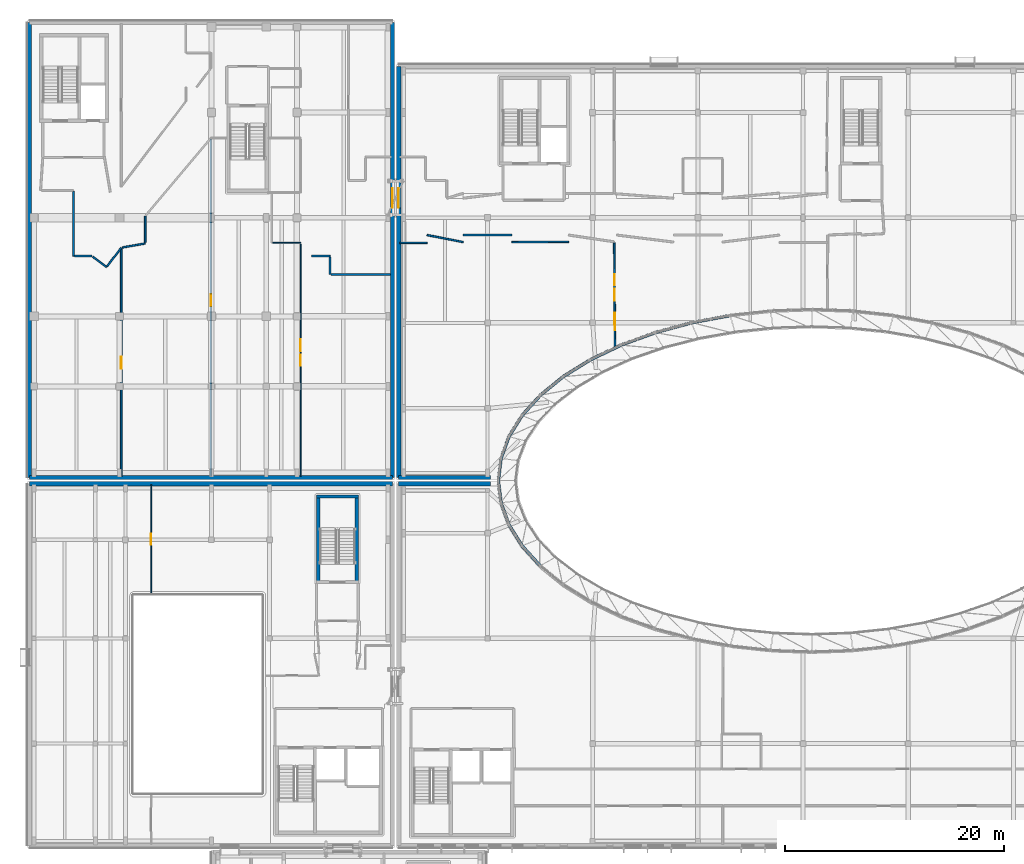
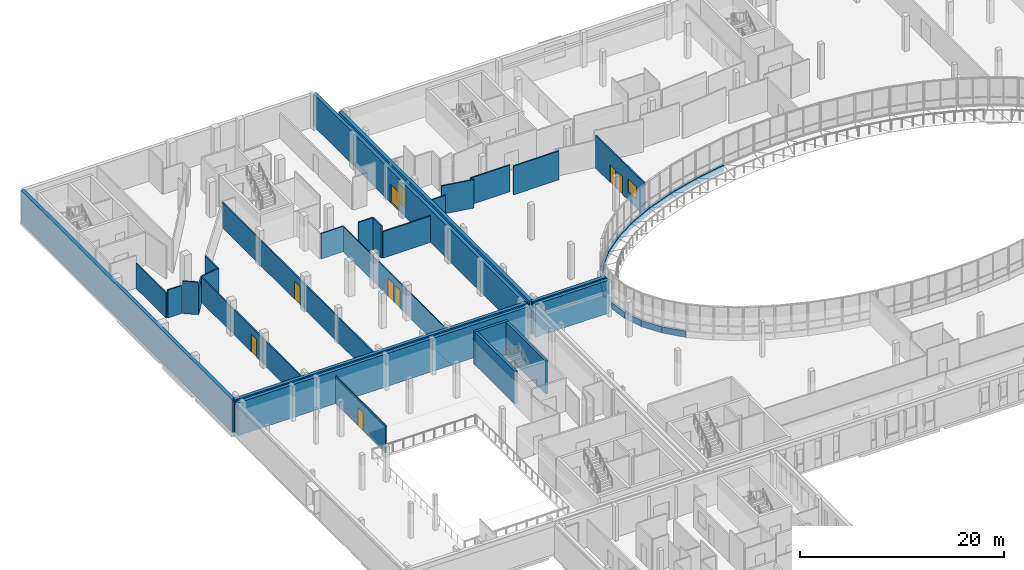
# One storey, part 50 of 84: 43 walls, 9 doors, 1 window, 10 openings.
"""IFC4 building model written with IfcOpenShell, lengths in metres."""

from ifc_helpers import new_model, si_unit, direction, frame, frame_2d, origin, place, context, subcontext, project, spatial, rectangle, extrude, material, layer, layer_set, type_object, element, fill, save


model = new_model("IFC4")

# Units and contexts
model_context = context("Model", 3, precision=1e-05, world=origin(), true_north=direction((0.0, 1.0)))
body_context = subcontext(model_context, "Body", "Model", "MODEL_VIEW")
ifc_project = project(units=[si_unit("LENGTHUNIT", "METRE"), si_unit("AREAUNIT", "SQUARE_METRE"), si_unit("VOLUMEUNIT", "CUBIC_METRE"), si_unit("PLANEANGLEUNIT", "RADIAN"), si_unit("MASSUNIT", "GRAM", prefix="KILO")], contexts=[model_context])

# Site, building, storey
site_placement = place(None, origin())
site = spatial("IfcSite", under=ifc_project, at=site_placement, CompositionType="ELEMENT")
building_placement = place(site_placement, origin())
building = spatial("IfcBuilding", under=site, at=building_placement, Name="Mzevani Central Library", CompositionType="ELEMENT")
storey_placement = place(building_placement, frame((0.0, 0.0, 5.39990234375)))
storey = spatial("IfcBuildingStorey", under=building, at=storey_placement, Name="L01", CompositionType="ELEMENT", Elevation=5.39990234375)

# Walls
ifc_material_1 = material(Name="Concrete C40/50", Category="concrete")
ifc_layer_1 = layer(ifc_material_1, 0.300048828125, Name="Core Shear Wall 300")
ifc_layer_set_1 = layer_set([ifc_layer_1], Name="Concrete C40/50")
wall_type_1 = type_object("IfcWallType", Name="Core Shear Wall 300", PredefinedType="SHEAR", material=ifc_layer_set_1)
wall_1_placement = place(storey_placement, frame((38.949951171875, 66.60009765625, 0.0), z_axis=(0.0, 0.0, 1.0), x_axis=(0.0, 1.0, 0.0)))
element("IfcWall", 1, at=wall_1_placement, inside=storey, type_object=wall_type_1, Name="L01 Core C5B Lecture North Escape Stair Shear Wall (-x)", PredefinedType="SHEAR", context=body_context, shape_type="SweptSolid", body=[
    extrude(rectangle(XDim=8.099853515625, YDim=0.300048828125, at=frame_2d((4.0498046875, 0.0))), origin(), (0.0, 0.0, 1.0), 3.940185546875),
])
wall_2_placement = place(storey_placement, frame((38.800048828125, 74.550048828125, 0.0), z_axis=(0.0, 0.0, 1.0), x_axis=(1.0, 0.0, 0.0)))
element("IfcWall", 2, at=wall_2_placement, inside=storey, type_object=wall_type_1, Name="L01 Core C5B Lecture North Escape Stair Shear Wall (+y)", PredefinedType="SHEAR", context=body_context, shape_type="SweptSolid", body=[
    extrude(rectangle(XDim=3.800048828125, YDim=0.300048828125, at=frame_2d((1.89990234375, 0.0))), origin(), (0.0, 0.0, 1.0), 3.940185546875),
])
wall_3_placement = place(storey_placement, frame((42.449951171875, 74.699951171875, 0.0), z_axis=(0.0, 0.0, 1.0), x_axis=(0.0, -1.0, 0.0)))
element("IfcWall", 3, at=wall_3_placement, inside=storey, type_object=wall_type_1, Name="L01 Core C5B Lecture North Escape Stair Shear Wall (+x)", PredefinedType="SHEAR", context=body_context, shape_type="SweptSolid", body=[
    extrude(rectangle(XDim=8.099853515625, YDim=0.300048828125, at=frame_2d((4.0498046875, 0.0))), origin(), (0.0, 0.0, 1.0), 3.940185546875),
])
ifc_material_2 = material(Name="Precast concrete C40/50", Category="concrete")
ifc_layer_2 = layer(ifc_material_2, 0.280029296875, Name="Court Spandrel Wall 280")
ifc_layer_set_2 = layer_set([ifc_layer_2], Name="Precast concrete C40/50")
wall_type_2 = type_object("IfcWallType", Name="Court Spandrel Wall 280", PredefinedType="STANDARD", material=ifc_layer_set_2)
wall_4_placement = place(storey_placement, frame((76.532958984375, 91.07373046875, 0.0), z_axis=(0.0, 0.0, 1.0), x_axis=(-0.983444547385, -0.181209332591, 0.0)))
element("IfcWall", 4, at=wall_4_placement, inside=storey, type_object=wall_type_2, Name="L01 Elliptical Court Spandrel 15", PredefinedType="STANDARD", context=body_context, shape_type="SweptSolid", body=[
    extrude(rectangle(XDim=3.5771484375, YDim=0.280029296875, at=frame_2d((1.78857421875, 0.0))), origin(), (0.0, 0.0, 1.0), 0.72021484375),
])
wall_5_placement = place(storey_placement, frame((72.98388671875, 90.40185546875, 0.0), z_axis=(0.0, 0.0, 1.0), x_axis=(-0.966008995784, -0.258508452598, 0.0)))
element("IfcWall", 5, at=wall_5_placement, inside=storey, type_object=wall_type_2, Name="L01 Elliptical Court Spandrel 16", PredefinedType="STANDARD", context=body_context, shape_type="SweptSolid", body=[
    extrude(rectangle(XDim=3.448974609375, YDim=0.280029296875, at=frame_2d((1.724609375, 0.0))), origin(), (0.0, 0.0, 1.0), 0.72021484375),
])
wall_6_placement = place(storey_placement, frame((69.629150390625, 89.486083984375, 0.0), z_axis=(0.0, 0.0, 1.0), x_axis=(-0.940120589317, -0.340842012583, 0.0)))
element("IfcWall", 6, at=wall_6_placement, inside=storey, type_object=wall_type_2, Name="L01 Elliptical Court Spandrel 17", PredefinedType="STANDARD", context=body_context, shape_type="SweptSolid", body=[
    extrude(rectangle(XDim=3.28564453125, YDim=0.280029296875, at=frame_2d((1.642822265625, 0.0))), origin(), (0.0, 0.0, 1.0), 0.72021484375),
])
wall_7_placement = place(storey_placement, frame((66.524169921875, 88.34326171875, 0.0), z_axis=(0.0, 0.0, 1.0), x_axis=(-0.902940744527, -0.429765065905, 0.0)))
element("IfcWall", 7, at=wall_7_placement, inside=storey, type_object=wall_type_2, Name="L01 Elliptical Court Spandrel 18", PredefinedType="STANDARD", context=body_context, shape_type="SweptSolid", body=[
    extrude(rectangle(XDim=3.09326171875, YDim=0.280029296875, at=frame_2d((1.546630859375, 0.0))), origin(), (0.0, 0.0, 1.0), 0.72021484375),
])
wall_8_placement = place(storey_placement, frame((63.719482421875, 86.99267578125, 0.0), z_axis=(0.0, 0.0, 1.0), x_axis=(-0.850375313237, -0.526176611639, 0.0)))
element("IfcWall", 8, at=wall_8_placement, inside=storey, type_object=wall_type_2, Name="L01 Elliptical Court Spandrel 19", PredefinedType="STANDARD", context=body_context, shape_type="SweptSolid", body=[
    extrude(rectangle(XDim=2.88037109375, YDim=0.280029296875, at=frame_2d((1.440185546875, 0.0))), origin(), (0.0, 0.0, 1.0), 0.72021484375),
])
wall_9_placement = place(storey_placement, frame((61.261962890625, 85.45751953125, 0.0), z_axis=(0.0, 0.0, 1.0), x_axis=(-0.776243179452, -0.63043360186, 0.0)))
element("IfcWall", 9, at=wall_9_placement, inside=storey, type_object=wall_type_2, Name="L01 Elliptical Court Spandrel 20", PredefinedType="STANDARD", context=body_context, shape_type="SweptSolid", body=[
    extrude(rectangle(XDim=2.658935546875, YDim=0.280029296875, at=frame_2d((1.32958984375, 0.0))), origin(), (0.0, 0.0, 1.0), 0.72021484375),
])
wall_10_placement = place(storey_placement, frame((59.1923828125, 83.762939453125, 0.0), z_axis=(0.0, 0.0, 1.0), x_axis=(-0.67252356476, -0.740075708858, 0.0)))
element("IfcWall", 10, at=wall_10_placement, inside=storey, type_object=wall_type_2, Name="L01 Elliptical Court Spandrel 21", PredefinedType="STANDARD", context=body_context, shape_type="SweptSolid", body=[
    extrude(rectangle(XDim=2.443115234375, YDim=0.280029296875, at=frame_2d((1.2216796875, 0.0))), origin(), (0.0, 0.0, 1.0), 0.72021484375),
])
wall_11_placement = place(storey_placement, frame((57.54541015625, 81.93798828125, 0.0), z_axis=(0.0, 0.0, 1.0), x_axis=(-0.530271784497, -0.847827715144, 0.0)))
element("IfcWall", 11, at=wall_11_placement, inside=storey, type_object=wall_type_2, Name="L01 Elliptical Court Spandrel 22", PredefinedType="STANDARD", context=body_context, shape_type="SweptSolid", body=[
    extrude(rectangle(XDim=2.251953125, YDim=0.280029296875, at=frame_2d((1.1259765625, 0.0))), origin(), (0.0, 0.0, 1.0), 0.72021484375),
])
wall_12_placement = place(storey_placement, frame((56.34912109375, 80.0126953125, 0.0), z_axis=(0.0, 0.0, 1.0), x_axis=(-0.344189928554, -0.938900044244, 0.0)))
element("IfcWall", 12, at=wall_12_placement, inside=storey, type_object=wall_type_2, Name="L01 Elliptical Court Spandrel 23", PredefinedType="STANDARD", context=body_context, shape_type="SweptSolid", body=[
    extrude(rectangle(XDim=2.10595703125, YDim=0.280029296875, at=frame_2d((1.052978515625, 0.0))), origin(), (0.0, 0.0, 1.0), 0.72021484375),
])
for number, where, z_axis, x_axis, name in (
    (13, (55.623046875, 78.01953125, 0.0), (0.0, 0.0, 1.0), (-0.119881584564, -0.992788197796, 0.0), "L01 Elliptical Court Spandrel 24"),
    (14, (55.380126953125, 75.9921875, 0.0), (0.0, 0.0, 1.0), (0.119881584564, -0.992788197796, 0.0), "L01 Elliptical Court Spandrel 25"),
):
    element("IfcWall", number, at=place(storey_placement, frame(where, z_axis=z_axis, x_axis=x_axis)), inside=storey, type_object=wall_type_2, Name=name, PredefinedType="STANDARD", context=body_context, shape_type="SweptSolid", body=[
        extrude(rectangle(XDim=2.0263671875, YDim=0.280029296875, at=frame_2d((1.01318359375, 0.0))), origin(), (0.0, 0.0, 1.0), 0.72021484375),
    ])
wall_13_placement = place(storey_placement, frame((55.624267578125, 73.964599609375, 0.0), z_axis=(0.0, 0.0, 1.0), x_axis=(0.344189928554, -0.938900044244, 0.0)))
element("IfcWall", 15, at=wall_13_placement, inside=storey, type_object=wall_type_2, Name="L01 Elliptical Court Spandrel 26", PredefinedType="STANDARD", context=body_context, shape_type="SweptSolid", body=[
    extrude(rectangle(XDim=2.10595703125, YDim=0.280029296875, at=frame_2d((1.052978515625, 0.0))), origin(), (0.0, 0.0, 1.0), 0.72021484375),
])
wall_14_placement = place(storey_placement, frame((56.351318359375, 71.97119140625, 0.0), z_axis=(0.0, 0.0, 1.0), x_axis=(0.530271784497, -0.847827715144, 0.0)))
element("IfcWall", 16, at=wall_14_placement, inside=storey, type_object=wall_type_2, Name="L01 Elliptical Court Spandrel 27", PredefinedType="STANDARD", context=body_context, shape_type="SweptSolid", body=[
    extrude(rectangle(XDim=2.251953125, YDim=0.280029296875, at=frame_2d((1.1259765625, 0.0))), origin(), (0.0, 0.0, 1.0), 0.72021484375),
])
wall_15_placement = place(storey_placement, frame((57.54931640625, 70.045166015625, 0.0), z_axis=(0.0, 0.0, 1.0), x_axis=(0.67252356476, -0.740075708858, 0.0)))
element("IfcWall", 17, at=wall_15_placement, inside=storey, type_object=wall_type_2, Name="L01 Elliptical Court Spandrel 28", PredefinedType="STANDARD", context=body_context, shape_type="SweptSolid", body=[
    extrude(rectangle(XDim=2.443115234375, YDim=0.280029296875, at=frame_2d((1.2216796875, 0.0))), origin(), (0.0, 0.0, 1.0), 0.72021484375),
])
ifc_layer_3 = layer(ifc_material_2, 0.3798828125, Name="Exterior Thermal Concrete Wall 380")
ifc_layer_set_3 = layer_set([ifc_layer_3], Name="Precast concrete C40/50")
wall_type_3 = type_object("IfcWallType", Name="Exterior Thermal Concrete Wall 380", PredefinedType="STANDARD", material=ifc_layer_set_3)
wall_16_placement = place(storey_placement, frame((46.2900390625, 75.7099609375, 0.0), z_axis=(0.0, 0.0, 1.0), x_axis=(1.0, 0.0, 0.0)))
element("IfcWall", 18, at=wall_16_placement, inside=storey, type_object=wall_type_3, Name="L01 V1 Exterior Thermal Wall (8)", PredefinedType="STANDARD", context=body_context, shape_type="SweptSolid", body=[
    extrude(rectangle(XDim=8.387939453125, YDim=0.3798828125, at=frame_2d((4.19384765625, 0.0))), origin(), (0.0, 0.0, 1.0), 3.940185546875),
])
wall_17_placement = place(storey_placement, frame((45.7099609375, 76.2900390625, 0.0), z_axis=(0.0, 0.0, 1.0), x_axis=(-1.0, 0.0, 0.0)))
element("IfcWall", 19, at=wall_17_placement, inside=storey, type_object=wall_type_3, Name="L01 V2 Exterior Thermal Wall (20)", PredefinedType="STANDARD", context=body_context, shape_type="SweptSolid", body=[
    extrude(rectangle(XDim=33.119873046875, YDim=0.3798828125, at=frame_2d((16.56005859375, 0.0))), origin(), (0.0, 0.0, 1.0), 3.940185546875),
])
wall_18_placement = place(storey_placement, frame((12.590087890625, 76.2900390625, 0.0), z_axis=(0.0, 0.0, 1.0), x_axis=(0.0, 1.0, 0.0)))
element("IfcWall", 20, at=wall_18_placement, inside=storey, type_object=wall_type_3, Name="L01 V2 Exterior Thermal Wall (21)", PredefinedType="STANDARD", context=body_context, shape_type="SweptSolid", body=[
    extrude(rectangle(XDim=41.52001953125, YDim=0.3798828125, at=frame_2d((20.760009765625, 0.0))), origin(), (0.0, 0.0, 1.0), 3.880126953125),
])

# Wall, opening, door
wall_19_placement = place(storey_placement, frame((45.7099609375, 117.81005859375, 0.0), z_axis=(0.0, 0.0, 1.0), x_axis=(0.0, -1.0, 0.0)))
wall_19 = element("IfcWall", 21, at=wall_19_placement, inside=storey, type_object=wall_type_3, Name="L01 V2 Exterior Thermal Wall (23)", PredefinedType="STANDARD", context=body_context, shape_type="SweptSolid", body=[
    extrude(rectangle(XDim=41.52001953125, YDim=0.3798828125, at=frame_2d((20.760009765625, 0.0))), origin(), (0.0, 0.0, 1.0), 3.880126953125),
])
opening_1_placement = place(wall_19_placement, frame((15.110107421875, 0.0, 0.0)))
opening_1 = element("IfcOpeningElement", 22, at=opening_1_placement, cuts=wall_19, Name="Opening FD-06", PredefinedType="OPENING", context=body_context, shape_type="SweptSolid", body=[
    extrude(rectangle(XDim=1.800048828125, YDim=2.199951171875, at=frame_2d((0.89990234375, 1.10009765625))), frame((0.0, 0.199951171875, 0.0), z_axis=(0.0, -1.0, 0.0), x_axis=(1.0, 0.0, 0.0)), (0.0, 0.0, 1.0), 0.39990234375),
])
ifc_material_3 = material(Name="Fire-rated steel door assembly", Category="steel")
door_type_1 = type_object("IfcDoorType", Name="Fire Corridor Double Door 1800x2200", OperationType="NOTDEFINED", PredefinedType="DOOR", material=ifc_material_3)
door_1_placement = place(opening_1_placement, origin())
door_1 = element("IfcDoor", 23, at=door_1_placement, inside=storey, type_object=door_type_1, Name="L01 Stacks-Court Seismic Passage L01 Fire Portal Door (V2)", OperationType="DOUBLE_DOOR_SINGLE_SWING", OverallHeight=2.199951171875, OverallWidth=1.800048828125, PredefinedType="DOOR", context=body_context, shape_type="SweptSolid", body=[
    extrude(rectangle(XDim=1.800048828125, YDim=2.199951171875, at=frame_2d((0.89990234375, 1.10009765625))), frame((0.0, 0.02490234375, 0.0), z_axis=(0.0, -1.0, 0.0), x_axis=(1.0, 0.0, 0.0)), (0.0, 0.0, 1.0), 0.050048828125),
])
fill(opening_1, door_1)

# Wall
wall_20_placement = place(storey_placement, frame((54.677978515625, 76.2900390625, 0.0), z_axis=(0.0, 0.0, 1.0), x_axis=(-1.0, 0.0, 0.0)))
element("IfcWall", 24, at=wall_20_placement, inside=storey, type_object=wall_type_3, Name="L01 V3 Exterior Thermal Wall (52)", PredefinedType="STANDARD", context=body_context, shape_type="SweptSolid", body=[
    extrude(rectangle(XDim=8.387939453125, YDim=0.3798828125, at=frame_2d((4.19384765625, 0.0))), origin(), (0.0, 0.0, 1.0), 3.920166015625),
])

# Wall, opening, door
wall_21_placement = place(storey_placement, frame((46.2900390625, 76.2900390625, 0.0), z_axis=(0.0, 0.0, 1.0), x_axis=(0.0, 1.0, 0.0)))
wall_21 = element("IfcWall", 25, at=wall_21_placement, inside=storey, type_object=wall_type_3, Name="L01 V3 Exterior Thermal Wall (53)", PredefinedType="STANDARD", context=body_context, shape_type="SweptSolid", body=[
    extrude(rectangle(XDim=37.52001953125, YDim=0.3798828125, at=frame_2d((18.760009765625, 0.0))), origin(), (0.0, 0.0, 1.0), 3.920166015625),
])
opening_2_placement = place(wall_21_placement, frame((24.610107421875, 0.0, 0.0)))
opening_2 = element("IfcOpeningElement", 26, at=opening_2_placement, cuts=wall_21, Name="Opening FD-06", PredefinedType="OPENING", context=body_context, shape_type="SweptSolid", body=[
    extrude(rectangle(XDim=1.800048828125, YDim=2.199951171875, at=frame_2d((0.89990234375, 1.10009765625))), frame((0.0, 0.199951171875, 0.0), z_axis=(0.0, -1.0, 0.0), x_axis=(1.0, 0.0, 0.0)), (0.0, 0.0, 1.0), 0.39990234375),
])
door_2_placement = place(opening_2_placement, origin())
door_2 = element("IfcDoor", 27, at=door_2_placement, inside=storey, type_object=door_type_1, Name="L01 Stacks-Court Seismic Passage L01 Fire Portal Door (V3)", OperationType="DOUBLE_DOOR_SINGLE_SWING", OverallHeight=2.199951171875, OverallWidth=1.800048828125, PredefinedType="DOOR", context=body_context, shape_type="SweptSolid", body=[
    extrude(rectangle(XDim=1.800048828125, YDim=2.199951171875, at=frame_2d((0.89990234375, 1.10009765625))), frame((0.0, 0.02490234375, 0.0), z_axis=(0.0, -1.0, 0.0), x_axis=(1.0, 0.0, 0.0)), (0.0, 0.0, 1.0), 0.050048828125),
])
fill(opening_2, door_2)

# Walls
wall_22_placement = place(storey_placement, frame((12.590087890625, 75.7099609375, 0.0), z_axis=(0.0, 0.0, 1.0), x_axis=(1.0, 0.0, 0.0)))
element("IfcWall", 28, at=wall_22_placement, inside=storey, type_object=wall_type_3, Name="L01 V5 Exterior Thermal Wall (93)", PredefinedType="STANDARD", context=body_context, shape_type="SweptSolid", body=[
    extrude(rectangle(XDim=33.119873046875, YDim=0.3798828125, at=frame_2d((16.56005859375, 0.0))), origin(), (0.0, 0.0, 1.0), 3.940185546875),
])
ifc_material_4 = material(Name="Fire-rated gypsum board", Category="gypsum")
ifc_layer_4 = layer(ifc_material_4, 0.10009765625, Name="Partition Gypsum 100")
ifc_layer_set_4 = layer_set([ifc_layer_4], Name="Fire-rated gypsum board")
wall_type_4 = type_object("IfcWallType", Name="Partition Gypsum 100", PredefinedType="PARTITIONING", material=ifc_layer_set_4)
wall_23_placement = place(storey_placement, frame((34.800048828125, 97.699951171875, 0.0), z_axis=(0.0, 0.0, 1.0), x_axis=(1.0, 0.0, 0.0)))
element("IfcWall", 29, at=wall_23_placement, inside=storey, type_object=wall_type_4, Name="L01 V2 Partition IW-01 (247)", PredefinedType="PARTITIONING", context=body_context, shape_type="SweptSolid", body=[
    extrude(rectangle(XDim=2.534912109375, YDim=0.10009765625, at=frame_2d((1.267578125, 0.0))), origin(), (0.0, 0.0, 1.0), 3.06005859375),
])

# Wall, openings, doors
wall_24_placement = place(storey_placement, frame((37.3349609375, 97.60009765625, 0.0), z_axis=(0.0, 0.0, 1.0), x_axis=(0.0, -1.0, 0.0)))
wall_24 = element("IfcWall", 30, at=wall_24_placement, inside=storey, type_object=wall_type_4, Name="L01 V2 Partition IW-01 (248)", PredefinedType="PARTITIONING", context=body_context, shape_type="SweptSolid", body=[
    extrude(rectangle(XDim=21.210205078125, YDim=0.10009765625, at=frame_2d((10.60498046875, 0.0))), origin(), (0.0, 0.0, 1.0), 3.02001953125),
])
opening_3_placement = place(wall_24_placement, frame((10.10498046875, 0.0, 0.0)))
opening_3 = element("IfcOpeningElement", 31, at=opening_3_placement, cuts=wall_24, Name="Opening ID-04", PredefinedType="OPENING", context=body_context, shape_type="SweptSolid", body=[
    extrude(rectangle(XDim=1.0, YDim=2.14990234375, at=frame_2d((0.5, 1.074951171875))), frame((0.0, 0.06005859375, 0.0), z_axis=(0.0, -1.0, 0.0), x_axis=(1.0, 0.0, 0.0)), (0.0, 0.0, 1.0), 0.1201171875),
])
opening_4_placement = place(wall_24_placement, frame((8.705078125, 0.0, 0.0)))
opening_4 = element("IfcOpeningElement", 32, at=opening_4_placement, cuts=wall_24, Name="Opening FD-04", PredefinedType="OPENING", context=body_context, shape_type="SweptSolid", body=[
    extrude(rectangle(XDim=1.10009765625, YDim=2.14990234375, at=frame_2d((0.550048828125, 1.074951171875))), frame((0.0, 0.06005859375, 0.0), z_axis=(0.0, -1.0, 0.0), x_axis=(1.0, 0.0, 0.0)), (0.0, 0.0, 1.0), 0.1201171875),
])
door_type_2 = type_object("IfcDoorType", Name="Fire Compartment Door 1100x2150", OperationType="NOTDEFINED", PredefinedType="DOOR", material=ifc_material_3)
door_3_placement = place(opening_4_placement, origin())
door_3 = element("IfcDoor", 33, at=door_3_placement, inside=storey, type_object=door_type_2, Name="L01 Mobile Compact Shelving Hall L01 West 2 Door", OperationType="SINGLE_SWING_RIGHT", OverallHeight=2.14990234375, OverallWidth=1.10009765625, PredefinedType="DOOR", context=body_context, shape_type="SweptSolid", body=[
    extrude(rectangle(XDim=1.10009765625, YDim=2.14990234375, at=frame_2d((0.550048828125, 1.074951171875))), frame((0.0, 0.02490234375, 0.0), z_axis=(0.0, -1.0, 0.0), x_axis=(1.0, 0.0, 0.0)), (0.0, 0.0, 1.0), 0.050048828125),
])
fill(opening_4, door_3)
ifc_material_5 = material(Name="Fire-rated solid oak leaf")
door_type_3 = type_object("IfcDoorType", Name="Staff Office Door 1000x2150", OperationType="NOTDEFINED", PredefinedType="DOOR", material=ifc_material_5)
door_4_placement = place(opening_3_placement, origin())
door_4 = element("IfcDoor", 34, at=door_4_placement, inside=storey, type_object=door_type_3, Name="L01 Archival Retrieval Desk Door", OperationType="SINGLE_SWING_LEFT", OverallHeight=2.14990234375, OverallWidth=1.0, PredefinedType="DOOR", context=body_context, shape_type="SweptSolid", body=[
    extrude(rectangle(XDim=1.0, YDim=2.14990234375, at=frame_2d((0.5, 1.074951171875))), frame((0.0, 0.02490234375, 0.0), z_axis=(0.0, -1.0, 0.0), x_axis=(1.0, 0.0, 0.0)), (0.0, 0.0, 1.0), 0.050048828125),
])
fill(opening_3, door_4)

# Wall, opening, door
wall_25_placement = place(storey_placement, frame((23.693359375, 75.610107421875, 0.0), z_axis=(0.0, 0.0, 1.0), x_axis=(0.0, -1.0, 0.0)))
wall_25 = element("IfcWall", 35, at=wall_25_placement, inside=storey, type_object=wall_type_4, Name="L01 V5 Partition IW-01 (331)", PredefinedType="PARTITIONING", context=body_context, shape_type="SweptSolid", body=[
    extrude(rectangle(XDim=9.91015625, YDim=0.10009765625, at=frame_2d((4.955078125, 0.0))), origin(), (0.0, 0.0, 1.0), 3.320068359375),
])
opening_5_placement = place(wall_25_placement, frame((4.455078125, 0.0, 0.0)))
opening_5 = element("IfcOpeningElement", 36, at=opening_5_placement, cuts=wall_25, Name="Opening ID-04", PredefinedType="OPENING", context=body_context, shape_type="SweptSolid", body=[
    extrude(rectangle(XDim=1.0, YDim=2.14990234375, at=frame_2d((0.5, 1.074951171875))), frame((0.0, 0.06005859375, 0.0), z_axis=(0.0, -1.0, 0.0), x_axis=(1.0, 0.0, 0.0)), (0.0, 0.0, 1.0), 0.1201171875),
])
door_5_placement = place(opening_5_placement, origin())
door_5 = element("IfcDoor", 37, at=door_5_placement, inside=storey, type_object=door_type_3, Name="L01 Auditorium Upper Projection Balcony Door", OperationType="SINGLE_SWING_LEFT", OverallHeight=2.14990234375, OverallWidth=1.0, PredefinedType="DOOR", context=body_context, shape_type="SweptSolid", body=[
    extrude(rectangle(XDim=1.0, YDim=2.14990234375, at=frame_2d((0.5, 1.074951171875))), frame((0.0, 0.02490234375, 0.0), z_axis=(0.0, -1.0, 0.0), x_axis=(1.0, 0.0, 0.0)), (0.0, 0.0, 1.0), 0.050048828125),
])
fill(opening_5, door_5)

# Walls
ifc_layer_5 = layer(ifc_material_4, 0.14990234375, Name="Partition Study 150")
ifc_layer_set_5 = layer_set([ifc_layer_5], Name="Fire-rated gypsum board")
wall_type_5 = type_object("IfcWallType", Name="Partition Study 150", PredefinedType="PARTITIONING", material=ifc_layer_set_5)
wall_26_placement = place(storey_placement, frame((16.60009765625, 102.39990234375, 0.0), z_axis=(0.0, 0.0, 1.0), x_axis=(0.0, -1.0, 0.0)))
element("IfcWall", 38, at=wall_26_placement, inside=storey, type_object=wall_type_5, Name="L01 V2 Partition IW-03 (225)", PredefinedType="PARTITIONING", context=body_context, shape_type="SweptSolid", body=[
    extrude(rectangle(XDim=5.89990234375, YDim=0.14990234375, at=frame_2d((2.949951171875, 0.0))), origin(), (0.0, 0.0, 1.0), 3.010009765625),
])
wall_27_placement = place(storey_placement, frame((16.699951171875, 96.5, 0.0), z_axis=(0.0, 0.0, 1.0), x_axis=(1.0, 0.0, 0.0)))
element("IfcWall", 39, at=wall_27_placement, inside=storey, type_object=wall_type_5, Name="L01 V2 Partition IW-03 (226)", PredefinedType="PARTITIONING", context=body_context, shape_type="SweptSolid", body=[
    extrude(rectangle(XDim=1.580078125, YDim=0.14990234375, at=frame_2d((0.7900390625, 0.0))), origin(), (0.0, 0.0, 1.0), 3.340087890625),
])
wall_28_placement = place(storey_placement, frame((18.35986328125, 96.439697265625, 0.0), z_axis=(0.0, 0.0, 1.0), x_axis=(0.797526950094, -0.603283319738, 0.0)))
element("IfcWall", 40, at=wall_28_placement, inside=storey, type_object=wall_type_5, Name="L01 V2 Partition IW-03 (227)", PredefinedType="PARTITIONING", context=body_context, shape_type="SweptSolid", body=[
    extrude(rectangle(XDim=1.579833984375, YDim=0.14990234375, at=frame_2d((0.7900390625, 0.0))), origin(), (0.0, 0.0, 1.0), 3.880126953125),
])
wall_29_placement = place(storey_placement, frame((19.68017578125, 95.56640625, 0.0), z_axis=(0.0, 0.0, 1.0), x_axis=(0.603314611832, 0.797503278457, 0.0)))
element("IfcWall", 41, at=wall_29_placement, inside=storey, type_object=wall_type_5, Name="L01 V2 Partition IW-03 (228)", PredefinedType="PARTITIONING", context=body_context, shape_type="SweptSolid", body=[
    extrude(rectangle(XDim=2.129638671875, YDim=0.14990234375, at=frame_2d((1.06494140625, 0.0))), origin(), (0.0, 0.0, 1.0), 3.010009765625),
])

# Wall, opening, door
wall_30_placement = place(storey_placement, frame((20.965087890625, 97.164794921875, 0.0), z_axis=(0.0, 0.0, 1.0), x_axis=(0.0, -1.0, 0.0)))
wall_30 = element("IfcWall", 42, at=wall_30_placement, inside=storey, type_object=wall_type_5, Name="L01 V2 Partition IW-03 (229)", PredefinedType="PARTITIONING", context=body_context, shape_type="SweptSolid", body=[
    extrude(rectangle(XDim=20.77490234375, YDim=0.14990234375, at=frame_2d((10.387451171875, 0.0))), origin(), (0.0, 0.0, 1.0), 3.010009765625),
])
opening_6_placement = place(wall_30_placement, frame((9.83740234375, 0.0, 0.0)))
opening_6 = element("IfcOpeningElement", 43, at=opening_6_placement, cuts=wall_30, Name="Opening FD-04", PredefinedType="OPENING", context=body_context, shape_type="SweptSolid", body=[
    extrude(rectangle(XDim=1.10009765625, YDim=2.14990234375, at=frame_2d((0.550048828125, 1.074951171875))), frame((0.0, 0.0849609375, 0.0), z_axis=(0.0, -1.0, 0.0), x_axis=(1.0, 0.0, 0.0)), (0.0, 0.0, 1.0), 0.169921875),
])
door_6_placement = place(opening_6_placement, origin())
door_6 = element("IfcDoor", 44, at=door_6_placement, inside=storey, type_object=door_type_2, Name="L01 Mobile Compact Shelving Hall L01 West Door", OperationType="SINGLE_SWING_RIGHT", OverallHeight=2.14990234375, OverallWidth=1.10009765625, PredefinedType="DOOR", context=body_context, shape_type="SweptSolid", body=[
    extrude(rectangle(XDim=1.10009765625, YDim=2.14990234375, at=frame_2d((0.550048828125, 1.074951171875))), frame((0.0, 0.02490234375, 0.0), z_axis=(0.0, -1.0, 0.0), x_axis=(1.0, 0.0, 0.0)), (0.0, 0.0, 1.0), 0.050048828125),
])
fill(opening_6, door_6)

# Walls
wall_31_placement = place(storey_placement, frame((21.0634765625, 97.2822265625, 0.0), z_axis=(0.0, 0.0, 1.0), x_axis=(0.984825294545, 0.173548665292, 0.0)))
element("IfcWall", 45, at=wall_31_placement, inside=storey, type_object=wall_type_5, Name="L01 V2 Partition IW-03 (230)", PredefinedType="PARTITIONING", context=body_context, shape_type="SweptSolid", body=[
    extrude(rectangle(XDim=2.11865234375, YDim=0.14990234375, at=frame_2d((1.059326171875, 0.0))), origin(), (0.0, 0.0, 1.0), 3.010009765625),
])
wall_32_placement = place(storey_placement, frame((23.14990234375, 97.75, 0.0), z_axis=(0.0, 0.0, 1.0), x_axis=(0.0, 1.0, 0.0)))
element("IfcWall", 46, at=wall_32_placement, inside=storey, type_object=wall_type_5, Name="L01 V2 Partition IW-03 (231)", PredefinedType="PARTITIONING", context=body_context, shape_type="SweptSolid", body=[
    extrude(rectangle(XDim=2.403564453125, YDim=0.14990234375, at=frame_2d((1.20166015625, 0.0))), origin(), (0.0, 0.0, 1.0), 2.960205078125),
])

# Wall, opening, door
wall_33_placement = place(storey_placement, frame((29.14990234375, 107.175048828125, 0.0), z_axis=(0.0, 0.0, 1.0), x_axis=(0.0, -1.0, 0.0)))
wall_33 = element("IfcWall", 47, at=wall_33_placement, inside=storey, type_object=wall_type_5, Name="L01 V2 Partition IW-03 (233)", PredefinedType="PARTITIONING", context=body_context, shape_type="SweptSolid", body=[
    extrude(rectangle(XDim=30.78515625, YDim=0.14990234375, at=frame_2d((15.392578125, 0.0))), origin(), (0.0, 0.0, 1.0), 3.02001953125),
])
opening_7_placement = place(wall_33_placement, frame((14.142578125, 0.0, 0.0)))
opening_7 = element("IfcOpeningElement", 48, at=opening_7_placement, cuts=wall_33, Name="Opening FD-04", PredefinedType="OPENING", context=body_context, shape_type="SweptSolid", body=[
    extrude(rectangle(XDim=1.10009765625, YDim=2.14990234375, at=frame_2d((0.550048828125, 1.074951171875))), frame((0.0, 0.0849609375, 0.0), z_axis=(0.0, -1.0, 0.0), x_axis=(1.0, 0.0, 0.0)), (0.0, 0.0, 1.0), 0.169921875),
])
door_7_placement = place(opening_7_placement, origin())
door_7 = element("IfcDoor", 49, at=door_7_placement, inside=storey, type_object=door_type_2, Name="L01 Mobile Compact Shelving Hall L01 East Door", OperationType="SINGLE_SWING_LEFT", OverallHeight=2.14990234375, OverallWidth=1.10009765625, PredefinedType="DOOR", context=body_context, shape_type="SweptSolid", body=[
    extrude(rectangle(XDim=1.10009765625, YDim=2.14990234375, at=frame_2d((0.550048828125, 1.074951171875))), frame((0.0, 0.02490234375, 0.0), z_axis=(0.0, -1.0, 0.0), x_axis=(1.0, 0.0, 0.0)), (0.0, 0.0, 1.0), 0.050048828125),
])
fill(opening_7, door_7)

# Walls
wall_34_placement = place(storey_placement, frame((38.340087890625, 96.5, 0.0), z_axis=(0.0, 0.0, 1.0), x_axis=(1.0, 0.0, 0.0)))
element("IfcWall", 50, at=wall_34_placement, inside=storey, type_object=wall_type_5, Name="L01 V2 Partition IW-03 (250)", PredefinedType="PARTITIONING", context=body_context, shape_type="SweptSolid", body=[
    extrude(rectangle(XDim=1.679931640625, YDim=0.14990234375, at=frame_2d((0.83984375, 0.0))), origin(), (0.0, 0.0, 1.0), 3.880126953125),
])
wall_35_placement = place(storey_placement, frame((40.02001953125, 96.39990234375, 0.0), z_axis=(0.0, 0.0, 1.0), x_axis=(0.0, -1.0, 0.0)))
element("IfcWall", 51, at=wall_35_placement, inside=storey, type_object=wall_type_5, Name="L01 V2 Partition IW-03 (251)", PredefinedType="PARTITIONING", context=body_context, shape_type="SweptSolid", body=[
    extrude(rectangle(XDim=1.579833984375, YDim=0.14990234375, at=frame_2d((0.7900390625, 0.0))), origin(), (0.0, 0.0, 1.0), 3.880126953125),
])
wall_36_placement = place(storey_placement, frame((40.1201171875, 94.820068359375, 0.0), z_axis=(0.0, 0.0, 1.0), x_axis=(1.0, 0.0, 0.0)))
element("IfcWall", 52, at=wall_36_placement, inside=storey, type_object=wall_type_5, Name="L01 V2 Partition IW-03 (252)", PredefinedType="PARTITIONING", context=body_context, shape_type="SweptSolid", body=[
    extrude(rectangle(XDim=5.39990234375, YDim=0.14990234375, at=frame_2d((2.699951171875, 0.0))), origin(), (0.0, 0.0, 1.0), 3.16015625),
])
wall_37_placement = place(storey_placement, frame((46.389892578125, 97.699951171875, 0.0), z_axis=(0.0, 0.0, 1.0), x_axis=(1.0, 0.0, 0.0)))
element("IfcWall", 53, at=wall_37_placement, inside=storey, type_object=wall_type_5, Name="L01 V3 Partition IW-03 (261)", PredefinedType="PARTITIONING", context=body_context, shape_type="SweptSolid", body=[
    extrude(rectangle(XDim=2.485107421875, YDim=0.14990234375, at=frame_2d((1.24267578125, 0.0))), origin(), (0.0, 0.0, 1.0), 2.715087890625),
])
wall_38_placement = place(storey_placement, frame((48.875, 98.419921875, 0.0), z_axis=(0.0, 0.0, 1.0), x_axis=(0.981428627156, -0.191827656503, 0.0)))
element("IfcWall", 54, at=wall_38_placement, inside=storey, type_object=wall_type_5, Name="L01 V3 Partition IW-03 (262)", PredefinedType="PARTITIONING", context=body_context, shape_type="SweptSolid", body=[
    extrude(rectangle(XDim=3.362548828125, YDim=0.14990234375, at=frame_2d((1.68115234375, 0.0))), origin(), (0.0, 0.0, 1.0), 3.400146484375),
])
wall_39_placement = place(storey_placement, frame((52.175048828125, 98.419921875, 0.0), z_axis=(0.0, 0.0, 1.0), x_axis=(1.0, 0.0, 0.0)))
element("IfcWall", 55, at=wall_39_placement, inside=storey, type_object=wall_type_5, Name="L01 V3 Partition IW-03 (263)", PredefinedType="PARTITIONING", context=body_context, shape_type="SweptSolid", body=[
    extrude(rectangle(XDim=4.449951171875, YDim=0.14990234375, at=frame_2d((2.22509765625, 0.0))), origin(), (0.0, 0.0, 1.0), 3.2001953125),
])
wall_40_placement = place(storey_placement, frame((56.625, 97.77490234375, 0.0), z_axis=(0.0, 0.0, 1.0), x_axis=(0.999988194403, 0.00485912082, 0.0)))
element("IfcWall", 56, at=wall_40_placement, inside=storey, type_object=wall_type_5, Name="L01 V3 Partition IW-03 (264)", PredefinedType="PARTITIONING", context=body_context, shape_type="SweptSolid", body=[
    extrude(rectangle(XDim=5.175048828125, YDim=0.14990234375, at=frame_2d((2.58740234375, 0.0))), origin(), (0.0, 0.0, 1.0), 3.4501953125),
])

# Wall, openings, doors, window
wall_41_placement = place(storey_placement, frame((65.9658203125, 97.699951171875, 0.0), z_axis=(0.0, 0.0, 1.0), x_axis=(0.007103377727, -0.999974770694, 0.0)))
wall_41 = element("IfcWall", 57, at=wall_41_placement, inside=storey, type_object=wall_type_5, Name="L01 V3 Partition IW-03 (266)", PredefinedType="PARTITIONING", context=body_context, shape_type="SweptSolid", body=[
    extrude(rectangle(XDim=9.45166015625, YDim=0.14990234375, at=frame_2d((4.725830078125, 0.0))), origin(), (0.0, 0.0, 1.0), 3.920166015625),
])
opening_8_placement = place(wall_41_placement, frame((4.17578125, 0.0, 0.0)))
opening_8 = element("IfcOpeningElement", 58, at=opening_8_placement, cuts=wall_41, Name="Opening FD-04", PredefinedType="OPENING", context=body_context, shape_type="SweptSolid", body=[
    extrude(rectangle(XDim=1.10009765625, YDim=2.14990234375, at=frame_2d((0.550048828125, 1.074951171875))), frame((0.0, 0.0849609375, 0.0), z_axis=(0.0, -1.0, 0.0), x_axis=(1.0, 0.0, 0.0)), (0.0, 0.0, 1.0), 0.169921875),
])
opening_9_placement = place(wall_41_placement, frame((2.875732421875, 0.0, 0.0)))
opening_9 = element("IfcOpeningElement", 59, at=opening_9_placement, cuts=wall_41, Name="Opening ID-03", PredefinedType="OPENING", context=body_context, shape_type="SweptSolid", body=[
    extrude(rectangle(XDim=1.0, YDim=2.10009765625, at=frame_2d((0.5, 1.050048828125))), frame((0.0, 0.0849609375, 0.0), z_axis=(0.0, -1.0, 0.0), x_axis=(1.0, 0.0, 0.0)), (0.0, 0.0, 1.0), 0.169921875),
])
opening_10_placement = place(wall_41_placement, frame((6.38330078125, 0.0, 1.050048828125)))
opening_10 = element("IfcOpeningElement", 60, at=opening_10_placement, cuts=wall_41, Name="Opening IW-W01", PredefinedType="OPENING", context=body_context, shape_type="SweptSolid", body=[
    extrude(rectangle(XDim=1.60009765625, YDim=1.5, at=frame_2d((0.800048828125, 0.75))), frame((0.0, 0.0849609375, 0.0), z_axis=(0.0, -1.0, 0.0), x_axis=(1.0, 0.0, 0.0)), (0.0, 0.0, 1.0), 0.169921875),
])
door_8_placement = place(opening_8_placement, origin())
door_8 = element("IfcDoor", 61, at=door_8_placement, inside=storey, type_object=door_type_2, Name="L01 Literature and History Open Stacks Door", OperationType="SINGLE_SWING_LEFT", OverallHeight=2.14990234375, OverallWidth=1.10009765625, PredefinedType="DOOR", context=body_context, shape_type="SweptSolid", body=[
    extrude(rectangle(XDim=1.10009765625, YDim=2.14990234375, at=frame_2d((0.550048828125, 1.074951171875))), frame((0.0, 0.02490234375, 0.0), z_axis=(0.0, -1.0, 0.0), x_axis=(1.0, 0.0, 0.0)), (0.0, 0.0, 1.0), 0.050048828125),
])
fill(opening_8, door_8)
ifc_material_6 = material(Name="Low-E triple glazing glass", Category="glass")
window_type = type_object("IfcWindowType", Name="Interior Borrowed Light 1600x1500", PartitioningType="SINGLE_PANEL", PredefinedType="WINDOW", material=ifc_material_6)
window_placement = place(opening_10_placement, origin())
window = element("IfcWindow", 62, at=window_placement, inside=storey, type_object=window_type, Name="L01 Silent Research Carrels North Acoustic Borrowed Light", OverallHeight=1.5, OverallWidth=1.60009765625, PartitioningType="SINGLE_PANEL", PredefinedType="WINDOW", context=body_context, shape_type="SweptSolid", body=[
    extrude(rectangle(XDim=1.60009765625, YDim=1.5, at=frame_2d((0.800048828125, 0.75))), frame((0.0, 0.030029296875, 0.0), z_axis=(0.0, -1.0, 0.0), x_axis=(1.0, 0.0, 0.0)), (0.0, 0.0, 1.0), 0.06005859375),
])
fill(opening_10, window)
door_type_4 = type_object("IfcDoorType", Name="Quiet Study Carrel Door 1000x2100", OperationType="NOTDEFINED", PredefinedType="DOOR", material=ifc_material_5)
door_9_placement = place(opening_9_placement, origin())
door_9 = element("IfcDoor", 63, at=door_9_placement, inside=storey, type_object=door_type_4, Name="L01 Silent Research Carrels North Door", OperationType="SINGLE_SWING_LEFT", OverallHeight=2.10009765625, OverallWidth=1.0, PredefinedType="DOOR", context=body_context, shape_type="SweptSolid", body=[
    extrude(rectangle(XDim=1.0, YDim=2.10009765625, at=frame_2d((0.5, 1.050048828125))), frame((0.0, 0.02490234375, 0.0), z_axis=(0.0, -1.0, 0.0), x_axis=(1.0, 0.0, 0.0)), (0.0, 0.0, 1.0), 0.050048828125),
])
fill(opening_9, door_9)

save(model, "model.ifc")
